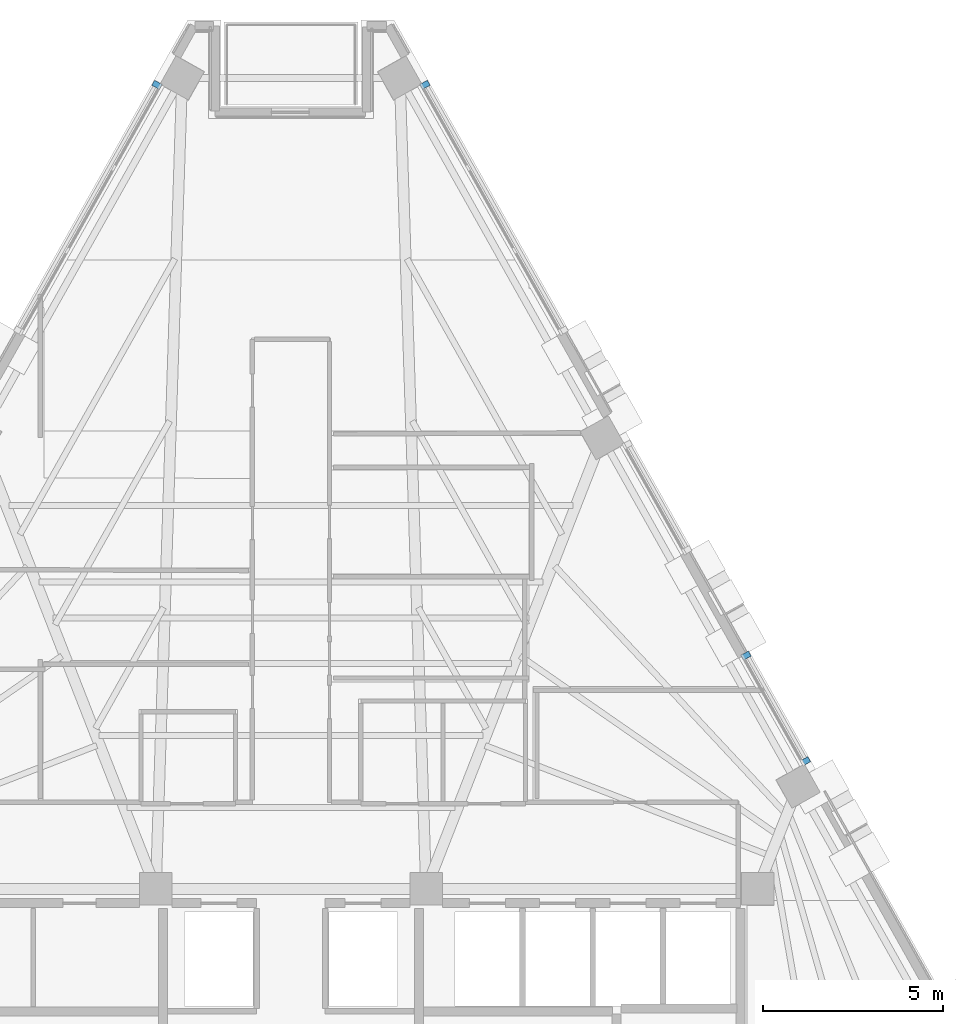
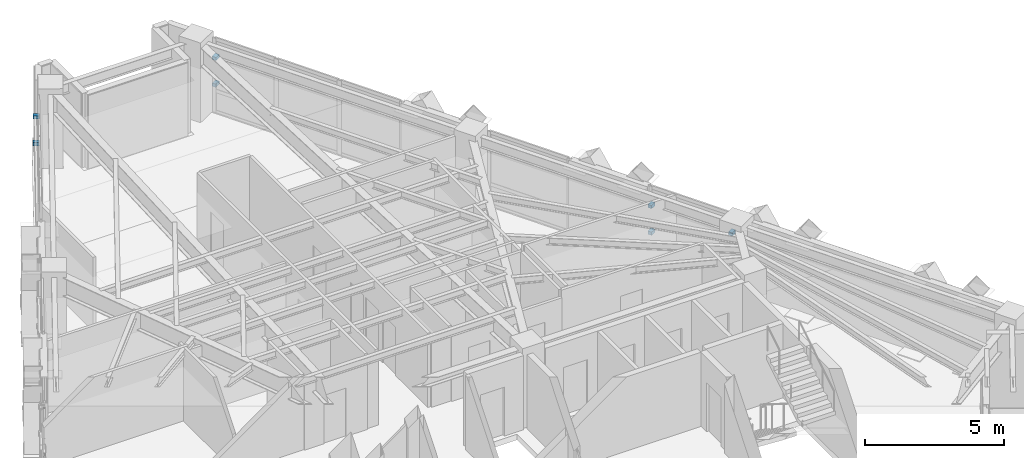
# One storey, part 11 of 15: 7 discrete accessories.
"""IFC4 building model written with IfcOpenShell, lengths in metres."""

from ifc_helpers import new_model, si_unit, direction, frame, origin, origin_2d, place, context, subcontext, project, spatial, rectangle, extrude, material, type_object, element, save


model = new_model("IFC4")

# Units and contexts
model_context = context("Model", 3, precision=1e-05, world=origin(), true_north=direction((0.0, 1.0)))
body_context = subcontext(model_context, "Body", "Model", "MODEL_VIEW")
ifc_project = project(units=[si_unit("LENGTHUNIT", "METRE"), si_unit("AREAUNIT", "SQUARE_METRE"), si_unit("VOLUMEUNIT", "CUBIC_METRE"), si_unit("PLANEANGLEUNIT", "RADIAN"), si_unit("MASSUNIT", "GRAM", prefix="KILO")], contexts=[model_context])

# Site, building, storey
site_placement = place(None, origin())
site = spatial("IfcSite", under=ifc_project, at=site_placement, CompositionType="ELEMENT")
building_placement = place(site_placement, origin())
building = spatial("IfcBuilding", under=site, at=building_placement, Name="Quenlor Broadcast Tower", CompositionType="ELEMENT")
storey_placement = place(building_placement, frame((0.0, 0.0, 183.39990234375)))
storey = spatial("IfcBuildingStorey", under=building, at=storey_placement, Name="L50", CompositionType="ELEMENT", Elevation=183.39990234375)

# Discrete accessories
ifc_material = material(Name="Aluminium 6063-T6", Category="aluminium")
discrete_accessory_type = type_object("IfcDiscreteAccessoryType", Name="Stainless Mullion Baguette Support Bracket", PredefinedType="BRACKET", material=ifc_material)
for number, where, z_axis, x_axis, name in (
    (1, (3.718994140625, 17.51318359375, 1.10009765625), (0.0, 0.0, 1.0), (0.490258903959, -0.871576850937, 0.0), "L50 Baguette Mullion Bracket 1.1"),
    (2, (3.718994140625, 17.51318359375, 2.27001953125), (0.0, 0.0, 1.0), (0.490258903959, -0.871576850937, 0.0), "L50 Baguette Mullion Bracket 2.1"),
    (3, (12.6298828125, 1.671630859375, 1.10009765625), (0.0, 0.0, 1.0), (0.49025738277, -0.871577706599, 0.0), "L50 Baguette Mullion Bracket 1.1"),
    (4, (12.6298828125, 1.671630859375, 2.27001953125), (0.0, 0.0, 1.0), (0.49025738277, -0.871577706599, 0.0), "L50 Baguette Mullion Bracket 2.1"),
    (5, (14.279296875, -1.260498046875, 2.27001953125), (0.0, 0.0, 1.0), (0.49025738277, -0.871577706599, 0.0), "L50 Baguette Mullion Bracket 2.2"),
    (6, (-3.718994140625, 17.51318359375, 1.10009765625), (0.0, 0.0, 1.0), (0.490258903959, 0.871576850937, 0.0), "L50 Baguette Mullion Bracket 1.2"),
    (7, (-3.718994140625, 17.51318359375, 2.27001953125), (0.0, 0.0, 1.0), (0.490258903959, 0.871576850937, 0.0), "L50 Baguette Mullion Bracket 2.2"),
):
    element("IfcDiscreteAccessory", number, at=place(storey_placement, frame(where, z_axis=z_axis, x_axis=x_axis)), inside=storey, type_object=discrete_accessory_type, Name=name, PredefinedType="BRACKET", context=body_context, shape_type="SweptSolid", body=[
        extrude(rectangle(XDim=0.159912109375, YDim=0.239990234375, at=origin_2d()), origin(), (0.0, 0.0, 1.0), 0.139892578125),
    ])

save(model, "model.ifc")
